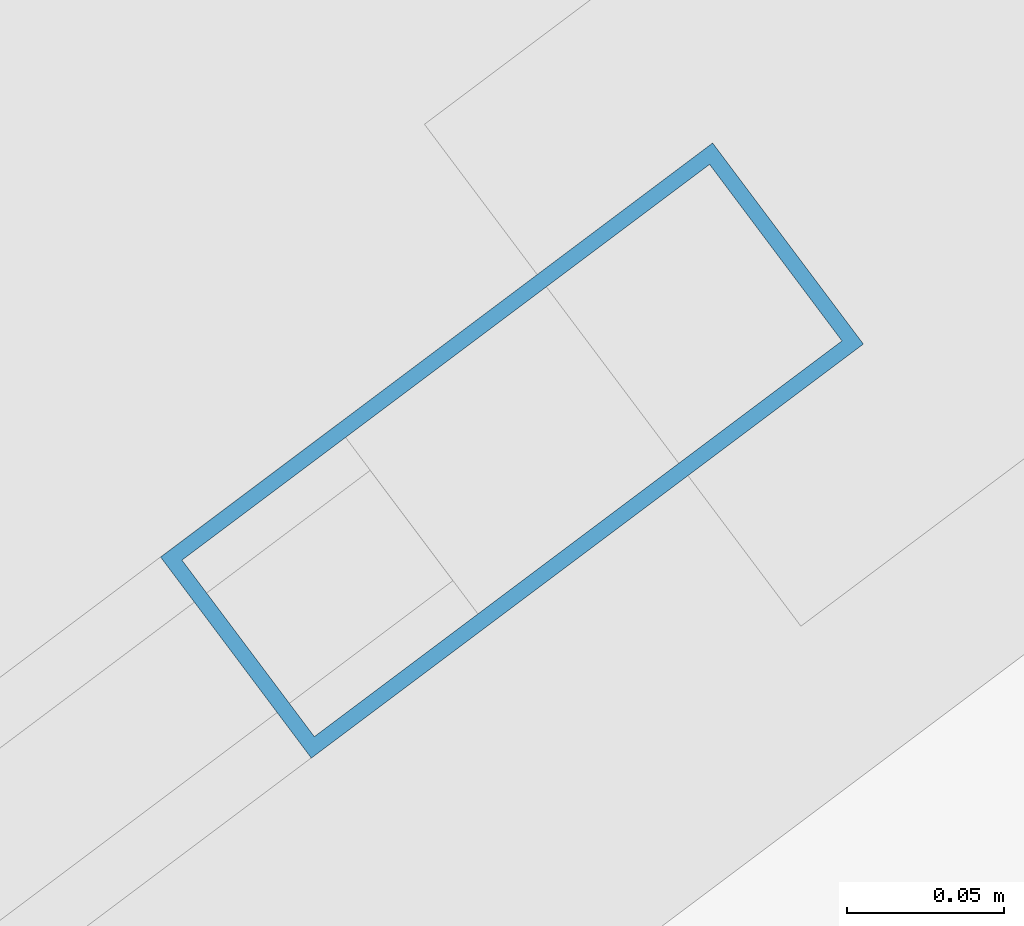
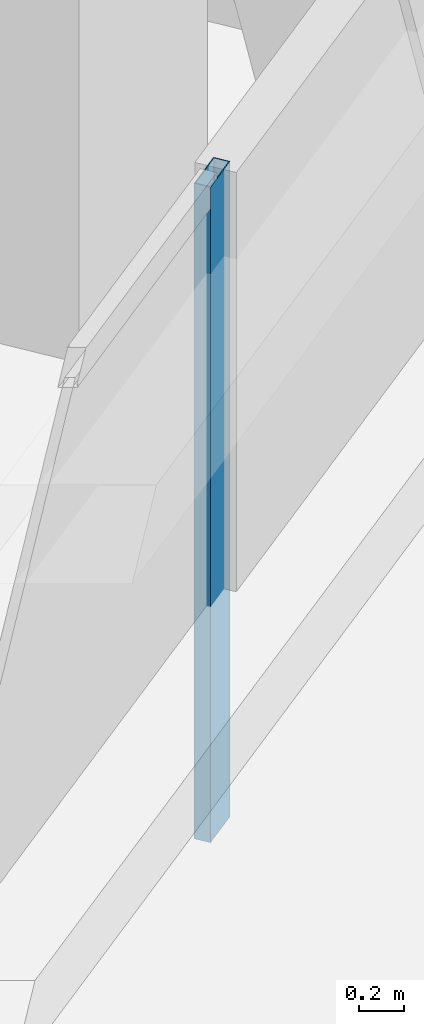
# One storey, part 42 of 67: 1 member, 1 element without a shape of its own.
"""IFC4 building model written with IfcOpenShell, lengths in metres."""

from ifc_helpers import new_model, si_unit, direction, frame, origin, origin_2d, place, context, subcontext, project, spatial, hollow_rectangle, extrude, material, material_profile, profile_set, type_object, element, aggregate, save


model = new_model("IFC4")

# Units and contexts
model_context = context("Model", 3, precision=1e-05, world=origin(), true_north=direction((0.0, 1.0)))
body_context = subcontext(model_context, "Body", "Model", "MODEL_VIEW")
ifc_project = project(units=[si_unit("LENGTHUNIT", "METRE"), si_unit("AREAUNIT", "SQUARE_METRE"), si_unit("VOLUMEUNIT", "CUBIC_METRE"), si_unit("PLANEANGLEUNIT", "RADIAN"), si_unit("MASSUNIT", "GRAM", prefix="KILO")], contexts=[model_context])

# Site, building, storey
site_placement = place(None, origin())
site = spatial("IfcSite", under=ifc_project, at=site_placement, CompositionType="ELEMENT")
building_placement = place(site_placement, origin())
building = spatial("IfcBuilding", under=site, at=building_placement, Name="Tashvorn Skyway Center", CompositionType="ELEMENT")
storey_placement = place(building_placement, frame((0.0, 0.0, 67.199951171875)))
storey = spatial("IfcBuildingStorey", under=building, at=storey_placement, Name="L17", CompositionType="ELEMENT", Elevation=67.199951171875)

# Curtain wall, member
ifc_material = material(Name="Thermally broken bronze-anodized aluminium 6063-T6", Category="aluminium")
curtain_wall_type = type_object("IfcCurtainWallType", Name="CW-CW-Z2", PredefinedType="NOTDEFINED", material=ifc_material)
curtain_wall_placement = place(storey_placement, origin())
curtain_wall = element("IfcCurtainWall", 1, at=curtain_wall_placement, inside=storey, type_object=curtain_wall_type, Name="Tower 2 L17 South Unitised Curtain Wall Glazing Group 1", PredefinedType="NOTDEFINED")
ifc_material_profile = material_profile(ifc_material, hollow_rectangle(XDim=0.080078125, YDim=0.219970703125, WallThickness=0.0048828125, at=origin_2d()), Name="ALU-MULL-80x220")
ifc_profile_set = profile_set([ifc_material_profile], Name="Thermally broken bronze-anodized aluminium 6063-T6")
member_type = type_object("IfcMemberType", Name="CWM-CW-Z2", PredefinedType="MULLION", material=ifc_profile_set)
member_placement = place(storey_placement, frame((136.64794921875, 24.135986328125, 0.0), z_axis=(0.0, 0.0, 1.0), x_axis=(0.600000000002, -0.799999999998, 0.0)))
member = element("IfcMember", 2, at=member_placement, type_object=member_type, Name="CW-Z2 mullion 1", PredefinedType="MULLION", context=body_context, shape_type="SweptSolid", body=[
    extrude(hollow_rectangle(XDim=0.080078125, YDim=0.219970703125, WallThickness=0.0048828125, at=origin_2d()), origin(), (0.0, 0.0, 1.0), 3.550048828125),
])
aggregate(curtain_wall, [member])

save(model, "model.ifc")
